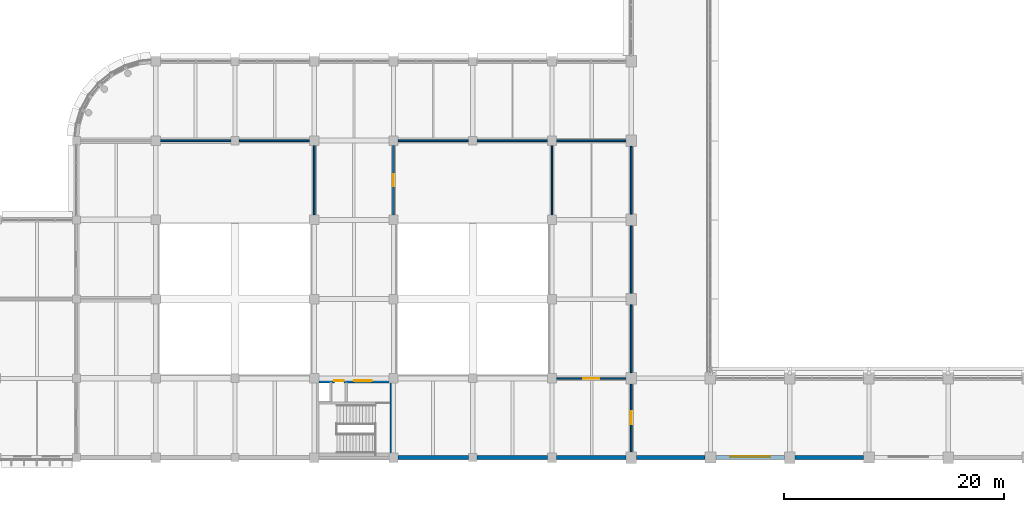
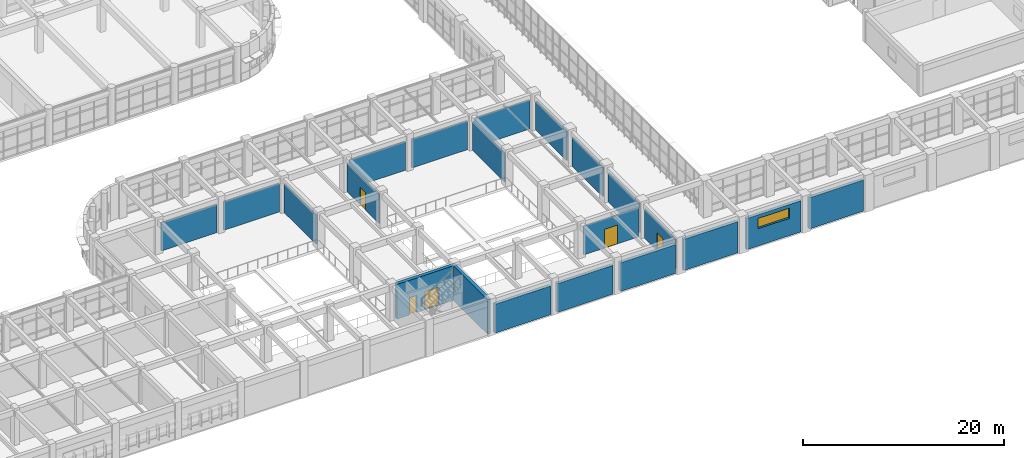
# One storey, part 152 of 171: 21 walls, 5 doors, 1 window, 6 openings.
"""IFC4 building model written with IfcOpenShell, lengths in metres."""

from ifc_helpers import new_model, si_unit, direction, frame, frame_2d, origin, place, context, subcontext, project, spatial, rectangle, extrude, material, layer, layer_set, type_object, element, fill, save


model = new_model("IFC4")

# Units and contexts
model_context = context("Model", 3, precision=1e-05, world=origin(), true_north=direction((0.0, 1.0)))
body_context = subcontext(model_context, "Body", "Model", "MODEL_VIEW")
ifc_project = project(units=[si_unit("LENGTHUNIT", "METRE"), si_unit("AREAUNIT", "SQUARE_METRE"), si_unit("VOLUMEUNIT", "CUBIC_METRE"), si_unit("PLANEANGLEUNIT", "RADIAN"), si_unit("MASSUNIT", "GRAM", prefix="KILO")], contexts=[model_context])

# Site, building, storey
site_placement = place(None, origin())
site = spatial("IfcSite", under=ifc_project, at=site_placement, CompositionType="ELEMENT")
building_placement = place(site_placement, origin())
building = spatial("IfcBuilding", under=site, at=building_placement, Name="Thalmaran Polytechnic", CompositionType="ELEMENT")
storey_placement = place(building_placement, frame((0.0, 0.0, 5.39990234375)))
storey = spatial("IfcBuildingStorey", under=building, at=storey_placement, Name="L01", CompositionType="ELEMENT", Elevation=5.39990234375)

# Wall
ifc_material_1 = material(Name="Precast concrete C40/50", Category="concrete")
ifc_layer_1 = layer(ifc_material_1, 0.360107421875, Name="Precast concrete C40/50")
ifc_layer_set_1 = layer_set([ifc_layer_1], Name="Precast concrete C40/50")
wall_type_1 = type_object("IfcWallType", Name="WL-EW01", PredefinedType="STANDARD", material=ifc_layer_set_1)
wall_1_placement = place(storey_placement, frame((129.10009765625, 0.0, 0.0), z_axis=(0.0, 0.0, 1.0), x_axis=(-1.0, 0.0, 0.0)))
element("IfcWall", 1, at=wall_1_placement, inside=storey, type_object=wall_type_1, Name="Exterior Precast Facade Wall L01-075", PredefinedType="STANDARD", context=body_context, shape_type="SweptSolid", body=[
    extrude(rectangle(XDim=6.22509765625, YDim=0.360107421875, at=frame_2d((3.112548828125, 0.0))), origin(), (0.0, 0.0, 1.0), 3.780029296875),
])

# Wall, opening, window
wall_2_placement = place(storey_placement, frame((121.925048828125, 0.0, 0.0), z_axis=(0.0, 0.0, 1.0), x_axis=(-1.0, 0.0, 0.0)))
wall_2 = element("IfcWall", 2, at=wall_2_placement, inside=storey, type_object=wall_type_1, Name="Exterior Precast Facade Wall L01-076", PredefinedType="STANDARD", context=body_context, shape_type="SweptSolid", body=[
    extrude(rectangle(XDim=6.22509765625, YDim=0.360107421875, at=frame_2d((3.112548828125, 0.0))), origin(), (0.0, 0.0, 1.0), 3.780029296875),
])
opening_1_placement = place(wall_2_placement, frame((1.3125, 0.0, 2.10009765625)))
opening_1 = element("IfcOpeningElement", 3, at=opening_1_placement, cuts=wall_2, Name="Opening CL03", PredefinedType="OPENING", context=body_context, shape_type="SweptSolid", body=[
    extrude(rectangle(XDim=3.60009765625, YDim=1.25, at=frame_2d((1.800048828125, 0.625))), frame((0.0, 0.18994140625, 0.0), z_axis=(0.0, -1.0, 0.0), x_axis=(1.0, 0.0, 0.0)), (0.0, 0.0, 1.0), 0.380126953125),
])
ifc_material_2 = material(Name="Thermally broken aluminium and double low-E glass", Category="aluminium")
window_type = type_object("IfcWindowType", Name="WN-CL03", PartitioningType="DOUBLE_PANEL_VERTICAL", PredefinedType="WINDOW", material=ifc_material_2)
window_placement = place(opening_1_placement, origin())
window = element("IfcWindow", 4, at=window_placement, inside=storey, type_object=window_type, Name="Workshop Gallery High Slot Window W-0140", OverallHeight=1.25, OverallWidth=3.60009765625, PartitioningType="SINGLE_PANEL", PredefinedType="WINDOW", context=body_context, shape_type="SweptSolid", body=[
    extrude(rectangle(XDim=3.60009765625, YDim=1.25, at=frame_2d((1.800048828125, 0.625))), frame((0.0, -0.050048828125, 0.0), z_axis=(0.0, -1.0, 0.0), x_axis=(1.0, 0.0, 0.0)), (0.0, 0.0, 1.0), 0.06005859375),
])
fill(opening_1, window)

# Walls
wall_3_placement = place(storey_placement, frame((114.699951171875, 0.0, 0.0), z_axis=(0.0, 0.0, 1.0), x_axis=(-1.0, 0.0, 0.0)))
element("IfcWall", 5, at=wall_3_placement, inside=storey, type_object=wall_type_1, Name="Exterior Precast Facade Wall L01-077", PredefinedType="STANDARD", context=body_context, shape_type="SweptSolid", body=[
    extrude(rectangle(XDim=6.224853515625, YDim=0.360107421875, at=frame_2d((3.1123046875, 0.0))), origin(), (0.0, 0.0, 1.0), 3.780029296875),
])
wall_4_placement = place(storey_placement, frame((107.52490234375, 0.0, 0.0), z_axis=(0.0, 0.0, 1.0), x_axis=(-1.0, 0.0, 0.0)))
element("IfcWall", 6, at=wall_4_placement, inside=storey, type_object=wall_type_1, Name="Exterior Precast Facade Wall L01-078", PredefinedType="STANDARD", context=body_context, shape_type="SweptSolid", body=[
    extrude(rectangle(XDim=6.2998046875, YDim=0.360107421875, at=frame_2d((3.14990234375, 0.0))), origin(), (0.0, 0.0, 1.0), 3.489990234375),
])
wall_5_placement = place(storey_placement, frame((100.375, 0.0, 0.0), z_axis=(0.0, 0.0, 1.0), x_axis=(-1.0, 0.0, 0.0)))
element("IfcWall", 7, at=wall_5_placement, inside=storey, type_object=wall_type_1, Name="Exterior Precast Facade Wall L01-079", PredefinedType="STANDARD", context=body_context, shape_type="SweptSolid", body=[
    extrude(rectangle(XDim=6.39990234375, YDim=0.360107421875, at=frame_2d((3.199951171875, 0.0))), origin(), (0.0, 0.0, 1.0), 3.489990234375),
])
wall_6_placement = place(storey_placement, frame((93.22509765625, 0.0, 0.0), z_axis=(0.0, 0.0, 1.0), x_axis=(-1.0, 0.0, 0.0)))
element("IfcWall", 8, at=wall_6_placement, inside=storey, type_object=wall_type_1, Name="Exterior Precast Facade Wall L01-080", PredefinedType="STANDARD", context=body_context, shape_type="SweptSolid", body=[
    extrude(rectangle(XDim=6.400146484375, YDim=0.360107421875, at=frame_2d((3.2001953125, 0.0))), origin(), (0.0, 0.0, 1.0), 3.489990234375),
])
ifc_material_3 = material(Name="Gypsum acoustic partition")
ifc_layer_2 = layer(ifc_material_3, 0.159912109375, Name="Gypsum acoustic partition")
ifc_layer_set_2 = layer_set([ifc_layer_2], Name="Gypsum acoustic partition")
wall_type_2 = type_object("IfcWallType", Name="WL-IW05", PredefinedType="PARTITIONING", material=ifc_layer_set_2)
wall_7_placement = place(storey_placement, frame((65.22998046875, 28.800048828125, 0.0), z_axis=(0.0, 0.0, 1.0), x_axis=(1.0, 0.0, 0.0)))
element("IfcWall", 9, at=wall_7_placement, inside=storey, type_object=wall_type_2, Name="Interior Partition IW05 L01-076", PredefinedType="PARTITIONING", context=body_context, shape_type="SweptSolid", body=[
    extrude(rectangle(XDim=6.39013671875, YDim=0.159912109375, at=frame_2d((3.195068359375, 0.0))), origin(), (0.0, 0.0, 1.0), 3.43017578125),
])
wall_8_placement = place(storey_placement, frame((79.199951171875, 22.030029296875, 0.0), z_axis=(0.0, 0.0, 1.0), x_axis=(0.0, 1.0, 0.0)))
element("IfcWall", 10, at=wall_8_placement, inside=storey, type_object=wall_type_2, Name="Interior Partition IW05 L01-079", PredefinedType="PARTITIONING", context=body_context, shape_type="SweptSolid", body=[
    extrude(rectangle(XDim=6.340087890625, YDim=0.159912109375, at=frame_2d((3.169921875, 0.0))), origin(), (0.0, 0.0, 1.0), 3.51513671875),
])
wall_9_placement = place(storey_placement, frame((72.3798828125, 28.800048828125, 0.0), z_axis=(0.0, 0.0, 1.0), x_axis=(1.0, 0.0, 0.0)))
element("IfcWall", 11, at=wall_9_placement, inside=storey, type_object=wall_type_2, Name="Interior Partition IW05 L01-080", PredefinedType="PARTITIONING", context=body_context, shape_type="SweptSolid", body=[
    extrude(rectangle(XDim=6.39013671875, YDim=0.159912109375, at=frame_2d((3.195068359375, 0.0))), origin(), (0.0, 0.0, 1.0), 3.460205078125),
])

# Wall, opening, door
wall_10_placement = place(storey_placement, frame((86.39990234375, 22.030029296875, 0.0), z_axis=(0.0, 0.0, 1.0), x_axis=(0.0, 1.0, 0.0)))
wall_10 = element("IfcWall", 12, at=wall_10_placement, inside=storey, type_object=wall_type_2, Name="Interior Partition IW05 L01-085", PredefinedType="PARTITIONING", context=body_context, shape_type="SweptSolid", body=[
    extrude(rectangle(XDim=6.340087890625, YDim=0.159912109375, at=frame_2d((3.169921875, 0.0))), origin(), (0.0, 0.0, 1.0), 3.51513671875),
])
opening_2_placement = place(wall_10_placement, frame((2.6201171875, 0.0, 0.0)))
opening_2 = element("IfcOpeningElement", 13, at=opening_2_placement, cuts=wall_10, Name="Opening D-L01-043-3-05-1", PredefinedType="OPENING", context=body_context, shape_type="SweptSolid", body=[
    extrude(rectangle(XDim=1.10009765625, YDim=2.14990234375, at=frame_2d((0.550048828125, 1.074951171875))), frame((0.0, 0.08984375, 0.0), z_axis=(0.0, -1.0, 0.0), x_axis=(1.0, 0.0, 0.0)), (0.0, 0.0, 1.0), 0.179931640625),
])
ifc_material_4 = material(Name="Powder-coated fire-rated steel", Category="steel")
door_type_1 = type_object("IfcDoorType", Name="DR-FD07", OperationType="NOTDEFINED", PredefinedType="DOOR", material=ifc_material_4)
door_1_placement = place(opening_2_placement, origin())
door_1 = element("IfcDoor", 14, at=door_1_placement, inside=storey, type_object=door_type_1, Name="Seminar Room L01-05 Door 1", OperationType="SINGLE_SWING_RIGHT", OverallHeight=2.14990234375, OverallWidth=1.10009765625, PredefinedType="DOOR", context=body_context, shape_type="SweptSolid", body=[
    extrude(rectangle(XDim=1.10009765625, YDim=2.14990234375, at=frame_2d((0.550048828125, 1.074951171875))), frame((0.0, 0.02490234375, 0.0), z_axis=(0.0, -1.0, 0.0), x_axis=(1.0, 0.0, 0.0)), (0.0, 0.0, 1.0), 0.050048828125),
])
fill(opening_2, door_1)

# Walls
wall_11_placement = place(storey_placement, frame((86.830078125, 28.800048828125, 0.0), z_axis=(0.0, 0.0, 1.0), x_axis=(1.0, 0.0, 0.0)))
element("IfcWall", 15, at=wall_11_placement, inside=storey, type_object=wall_type_2, Name="Interior Partition IW05 L01-091", PredefinedType="PARTITIONING", context=body_context, shape_type="SweptSolid", body=[
    extrude(rectangle(XDim=6.389892578125, YDim=0.159912109375, at=frame_2d((3.19482421875, 0.0))), origin(), (0.0, 0.0, 1.0), 3.485107421875),
])
wall_12_placement = place(storey_placement, frame((93.97998046875, 28.800048828125, 0.0), z_axis=(0.0, 0.0, 1.0), x_axis=(1.0, 0.0, 0.0)))
element("IfcWall", 16, at=wall_12_placement, inside=storey, type_object=wall_type_2, Name="Interior Partition IW05 L01-097", PredefinedType="PARTITIONING", context=body_context, shape_type="SweptSolid", body=[
    extrude(rectangle(XDim=6.39013671875, YDim=0.159912109375, at=frame_2d((3.195068359375, 0.0))), origin(), (0.0, 0.0, 1.0), 3.489990234375),
])

# Wall, opening, door
wall_13_placement = place(storey_placement, frame((108.0, 0.530029296875, 0.0), z_axis=(0.0, 0.0, 1.0), x_axis=(0.0, 1.0, 0.0)))
wall_13 = element("IfcWall", 17, at=wall_13_placement, inside=storey, type_object=wall_type_2, Name="Interior Partition IW05 L01-103", PredefinedType="PARTITIONING", context=body_context, shape_type="SweptSolid", body=[
    extrude(rectangle(XDim=6.139892578125, YDim=0.159912109375, at=frame_2d((3.06982421875, 0.0))), origin(), (0.0, 0.0, 1.0), 3.525146484375),
])
opening_3_placement = place(wall_13_placement, frame((2.47998046875, 0.0, 0.0)))
opening_3 = element("IfcOpeningElement", 18, at=opening_3_placement, cuts=wall_13, Name="Opening D-L01-040-3-02-1", PredefinedType="OPENING", context=body_context, shape_type="SweptSolid", body=[
    extrude(rectangle(XDim=1.179931640625, YDim=2.179931640625, at=frame_2d((0.58984375, 1.08984375))), frame((0.0, 0.08984375, 0.0), z_axis=(0.0, -1.0, 0.0), x_axis=(1.0, 0.0, 0.0)), (0.0, 0.0, 1.0), 0.179931640625),
])
ifc_material_5 = material(Name="Acoustic hardwood", Category="wood")
door_type_2 = type_object("IfcDoorType", Name="DR-ZD05", OperationType="NOTDEFINED", PredefinedType="DOOR", material=ifc_material_5)
door_2_placement = place(opening_3_placement, origin())
door_2 = element("IfcDoor", 19, at=door_2_placement, inside=storey, type_object=door_type_2, Name="Seminar Room L01-02 Door 1", OperationType="SINGLE_SWING_LEFT", OverallHeight=2.179931640625, OverallWidth=1.179931640625, PredefinedType="DOOR", context=body_context, shape_type="SweptSolid", body=[
    extrude(rectangle(XDim=1.179931640625, YDim=2.179931640625, at=frame_2d((0.58984375, 1.08984375))), frame((0.0, 0.02490234375, 0.0), z_axis=(0.0, -1.0, 0.0), x_axis=(1.0, 0.0, 0.0)), (0.0, 0.0, 1.0), 0.050048828125),
])
fill(opening_3, door_2)

# Walls
wall_14_placement = place(storey_placement, frame((108.0, 7.72998046875, 0.0), z_axis=(0.0, 0.0, 1.0), x_axis=(0.0, 1.0, 0.0)))
element("IfcWall", 20, at=wall_14_placement, inside=storey, type_object=wall_type_2, Name="Interior Partition IW05 L01-105", PredefinedType="PARTITIONING", context=body_context, shape_type="SweptSolid", body=[
    extrude(rectangle(XDim=6.14013671875, YDim=0.159912109375, at=frame_2d((3.070068359375, 0.0))), origin(), (0.0, 0.0, 1.0), 3.525146484375),
])
wall_15_placement = place(storey_placement, frame((108.0, 14.929931640625, 0.0), z_axis=(0.0, 0.0, 1.0), x_axis=(0.0, 1.0, 0.0)))
element("IfcWall", 21, at=wall_15_placement, inside=storey, type_object=wall_type_2, Name="Interior Partition IW05 L01-106", PredefinedType="PARTITIONING", context=body_context, shape_type="SweptSolid", body=[
    extrude(rectangle(XDim=6.14013671875, YDim=0.159912109375, at=frame_2d((3.070068359375, 0.0))), origin(), (0.0, 0.0, 1.0), 3.52001953125),
])
wall_16_placement = place(storey_placement, frame((108.0, 22.1298828125, 0.0), z_axis=(0.0, 0.0, 1.0), x_axis=(0.0, 1.0, 0.0)))
element("IfcWall", 22, at=wall_16_placement, inside=storey, type_object=wall_type_2, Name="Interior Partition IW05 L01-107", PredefinedType="PARTITIONING", context=body_context, shape_type="SweptSolid", body=[
    extrude(rectangle(XDim=6.14013671875, YDim=0.159912109375, at=frame_2d((3.070068359375, 0.0))), origin(), (0.0, 0.0, 1.0), 3.51513671875),
])
wall_17_placement = place(storey_placement, frame((101.22998046875, 28.800048828125, 0.0), z_axis=(0.0, 0.0, 1.0), x_axis=(1.0, 0.0, 0.0)))
element("IfcWall", 23, at=wall_17_placement, inside=storey, type_object=wall_type_2, Name="Interior Partition IW05 L01-108", PredefinedType="PARTITIONING", context=body_context, shape_type="SweptSolid", body=[
    extrude(rectangle(XDim=6.2900390625, YDim=0.159912109375, at=frame_2d((3.14501953125, 0.0))), origin(), (0.0, 0.0, 1.0), 3.510009765625),
])
ifc_layer_3 = layer(ifc_material_3, 0.1298828125, Name="Gypsum acoustic partition")
ifc_layer_set_3 = layer_set([ifc_layer_3], Name="Gypsum acoustic partition")
wall_type_3 = type_object("IfcWallType", Name="WL-IW07", PredefinedType="PARTITIONING", material=ifc_layer_set_3)
wall_18_placement = place(storey_placement, frame((100.800048828125, 22.030029296875, 0.0), z_axis=(0.0, 0.0, 1.0), x_axis=(0.0, 1.0, 0.0)))
element("IfcWall", 24, at=wall_18_placement, inside=storey, type_object=wall_type_3, Name="Interior Partition IW07 L01-096", PredefinedType="PARTITIONING", context=body_context, shape_type="SweptSolid", body=[
    extrude(rectangle(XDim=6.340087890625, YDim=0.1298828125, at=frame_2d((3.169921875, 0.0))), origin(), (0.0, 0.0, 1.0), 3.51513671875),
])

# Wall, opening, door
wall_19_placement = place(storey_placement, frame((101.22998046875, 7.199951171875, 0.0), z_axis=(0.0, 0.0, 1.0), x_axis=(1.0, 0.0, 0.0)))
wall_19 = element("IfcWall", 25, at=wall_19_placement, inside=storey, type_object=wall_type_3, Name="Interior Partition IW07 L01-104", PredefinedType="PARTITIONING", context=body_context, shape_type="SweptSolid", body=[
    extrude(rectangle(XDim=6.2900390625, YDim=0.1298828125, at=frame_2d((3.14501953125, 0.0))), origin(), (0.0, 0.0, 1.0), 3.510009765625),
])
opening_4_placement = place(wall_19_placement, frame((2.405029296875, 0.0, 0.0)))
opening_4 = element("IfcOpeningElement", 26, at=opening_4_placement, cuts=wall_19, Name="Opening D-L01-041-3-03-1", PredefinedType="OPENING", context=body_context, shape_type="SweptSolid", body=[
    extrude(rectangle(XDim=1.47998046875, YDim=2.280029296875, at=frame_2d((0.739990234375, 1.14013671875))), frame((0.0, 0.074951171875, 0.0), z_axis=(0.0, -1.0, 0.0), x_axis=(1.0, 0.0, 0.0)), (0.0, 0.0, 1.0), 0.14990234375),
])
door_type_3 = type_object("IfcDoorType", Name="DR-ZD09", OperationType="NOTDEFINED", PredefinedType="DOOR", material=ifc_material_4)
door_3_placement = place(opening_4_placement, origin())
door_3 = element("IfcDoor", 27, at=door_3_placement, inside=storey, type_object=door_type_3, Name="Lecture Preparation Studio L01-03 Door 1", OperationType="SINGLE_SWING_RIGHT", OverallHeight=2.280029296875, OverallWidth=1.47998046875, PredefinedType="DOOR", context=body_context, shape_type="SweptSolid", body=[
    extrude(rectangle(XDim=1.47998046875, YDim=2.280029296875, at=frame_2d((0.739990234375, 1.14013671875))), frame((0.0, 0.02490234375, 0.0), z_axis=(0.0, -1.0, 0.0), x_axis=(1.0, 0.0, 0.0)), (0.0, 0.0, 1.0), 0.050048828125),
])
fill(opening_4, door_3)

# Wall, openings, doors
ifc_material_6 = material(Name="Concrete C50/60", Category="concrete")
ifc_layer_4 = layer(ifc_material_6, 0.3798828125, Name="Concrete C50/60")
ifc_layer_set_4 = layer_set([ifc_layer_4], Name="Concrete C50/60")
wall_type_4 = type_object("IfcWallType", Name="WL-SW02", PredefinedType="SHEAR", material=ifc_layer_set_4)
wall_20_placement = place(storey_placement, frame((79.610107421875, 6.97998046875, 0.0), z_axis=(0.0, 0.0, 1.0), x_axis=(1.0, 0.0, 0.0)))
wall_20 = element("IfcWall", 28, at=wall_20_placement, inside=storey, type_object=wall_type_4, Name="Core C7 North Shear Wall L01", PredefinedType="SHEAR", context=body_context, shape_type="SweptSolid", body=[
    extrude(rectangle(XDim=6.4599609375, YDim=0.3798828125, at=frame_2d((3.22998046875, 0.0))), origin(), (0.0, 0.0, 1.0), 4.210205078125),
])
opening_5_placement = place(wall_20_placement, frame((1.419921875, 0.0, 0.0)))
opening_5 = element("IfcOpeningElement", 29, at=opening_5_placement, cuts=wall_20, Name="Opening DR-C7-L01-R", PredefinedType="OPENING", context=body_context, shape_type="SweptSolid", body=[
    extrude(rectangle(XDim=0.85009765625, YDim=2.10009765625, at=frame_2d((0.425048828125, 1.050048828125))), frame((0.0, 0.199951171875, 0.0), z_axis=(0.0, -1.0, 0.0), x_axis=(1.0, 0.0, 0.0)), (0.0, 0.0, 1.0), 0.39990234375),
])
opening_6_placement = place(wall_20_placement, frame((3.199951171875, 0.0, 0.0)))
opening_6 = element("IfcOpeningElement", 30, at=opening_6_placement, cuts=wall_20, Name="Opening LD-C7-L01", PredefinedType="OPENING", context=body_context, shape_type="SweptSolid", body=[
    extrude(rectangle(XDim=1.60009765625, YDim=2.199951171875, at=frame_2d((0.800048828125, 1.10009765625))), frame((0.0, 0.199951171875, 0.0), z_axis=(0.0, -1.0, 0.0), x_axis=(1.0, 0.0, 0.0)), (0.0, 0.0, 1.0), 0.39990234375),
])
door_type_4 = type_object("IfcDoorType", Name="DR-FD05", OperationType="NOTDEFINED", PredefinedType="DOOR", material=ifc_material_4)
door_4_placement = place(opening_6_placement, frame((1.60009765625, 0.0, 0.0), z_axis=(0.0, 0.0, 1.0), x_axis=(-1.0, 0.0, 0.0)))
door_4 = element("IfcDoor", 31, at=door_4_placement, inside=storey, type_object=door_type_4, Name="Stair Lobby Fire Door C7 L01", OperationType="DOUBLE_DOOR_SINGLE_SWING", OverallHeight=2.199951171875, OverallWidth=1.60009765625, PredefinedType="DOOR", context=body_context, shape_type="SweptSolid", body=[
    extrude(rectangle(XDim=1.60009765625, YDim=2.199951171875, at=frame_2d((0.800048828125, 1.10009765625))), frame((0.0, 0.02490234375, 0.0), z_axis=(0.0, -1.0, 0.0), x_axis=(1.0, 0.0, 0.0)), (0.0, 0.0, 1.0), 0.050048828125),
])
fill(opening_6, door_4)
door_type_5 = type_object("IfcDoorType", Name="DR-FD09", OperationType="NOTDEFINED", PredefinedType="DOOR", material=ifc_material_4)
door_5_placement = place(opening_5_placement, origin())
door_5 = element("IfcDoor", 32, at=door_5_placement, inside=storey, type_object=door_type_5, Name="Riser Access Fire Door C7 L01", OperationType="SINGLE_SWING_RIGHT", OverallHeight=2.10009765625, OverallWidth=0.85009765625, PredefinedType="DOOR", context=body_context, shape_type="SweptSolid", body=[
    extrude(rectangle(XDim=0.85009765625, YDim=2.10009765625, at=frame_2d((0.425048828125, 1.050048828125))), frame((0.0, 0.02490234375, 0.0), z_axis=(0.0, -1.0, 0.0), x_axis=(1.0, 0.0, 0.0)), (0.0, 0.0, 1.0), 0.050048828125),
])
fill(opening_5, door_5)

# Wall
wall_21_placement = place(storey_placement, frame((86.260009765625, 0.030029296875, 0.0), z_axis=(0.0, 0.0, 1.0), x_axis=(0.0, 1.0, 0.0)))
element("IfcWall", 33, at=wall_21_placement, inside=storey, type_object=wall_type_4, Name="Core C7 East Shear Wall L01", PredefinedType="SHEAR", context=body_context, shape_type="SweptSolid", body=[
    extrude(rectangle(XDim=7.139892578125, YDim=0.3798828125, at=frame_2d((3.56982421875, 0.0))), origin(), (0.0, 0.0, 1.0), 4.210205078125),
])

save(model, "model.ifc")
